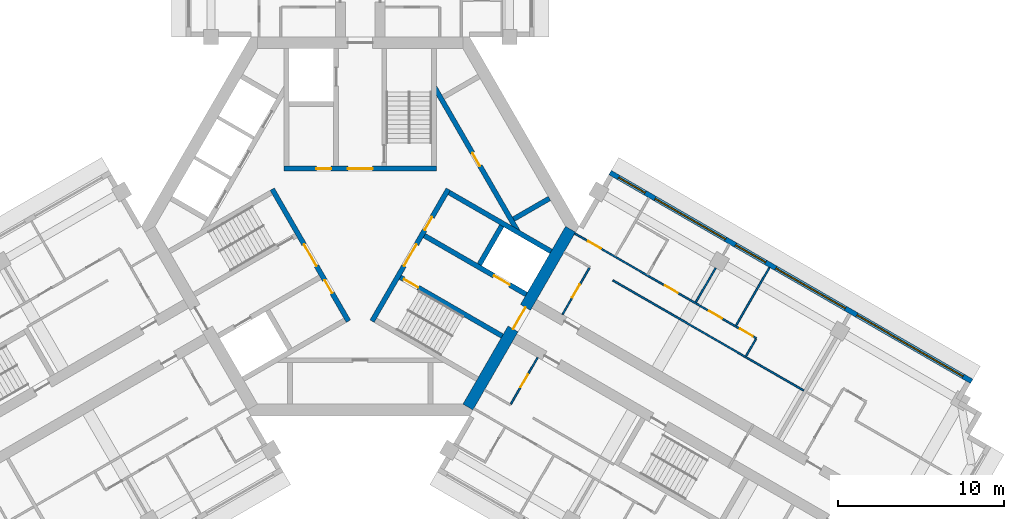
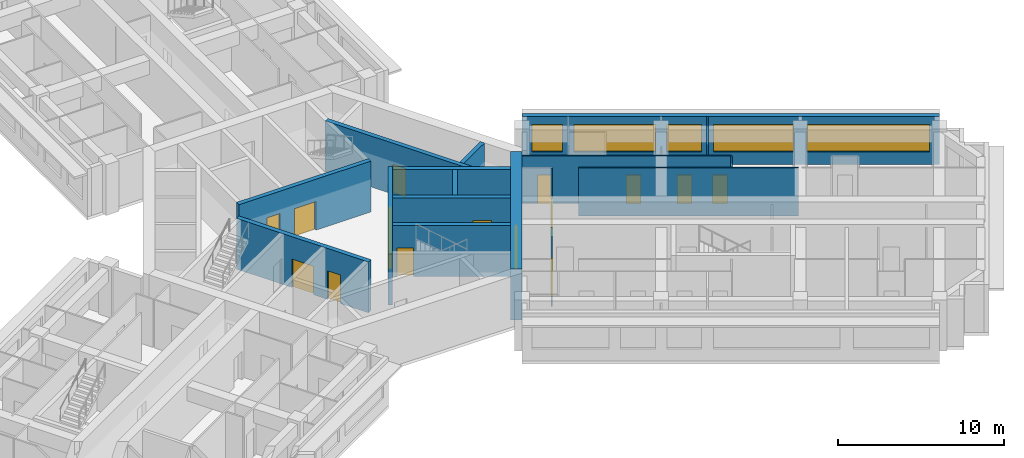
# One storey, part 6 of 11: 18 walls, 16 doors, 5 windows, 21 openings.
"""IFC4 building model written with IfcOpenShell, lengths in metres."""

from ifc_helpers import new_model, si_unit, direction, frame, frame_2d, origin, place, context, subcontext, project, spatial, rectangle, extrude, material, layer, layer_set, type_object, element, fill, save


model = new_model("IFC4")

# Units and contexts
model_context = context("Model", 3, precision=1e-05, world=origin(), true_north=direction((0.0, 1.0)))
body_context = subcontext(model_context, "Body", "Model", "MODEL_VIEW")
ifc_project = project(units=[si_unit("LENGTHUNIT", "METRE"), si_unit("AREAUNIT", "SQUARE_METRE"), si_unit("VOLUMEUNIT", "CUBIC_METRE"), si_unit("PLANEANGLEUNIT", "RADIAN"), si_unit("MASSUNIT", "GRAM", prefix="KILO")], contexts=[model_context])

# Site, building, storey
site_placement = place(None, origin())
site = spatial("IfcSite", under=ifc_project, at=site_placement, CompositionType="ELEMENT")
building_placement = place(site_placement, origin())
building = spatial("IfcBuilding", under=site, at=building_placement, Name="Impinga Residences", CompositionType="ELEMENT")
storey_placement = place(building_placement, frame((0.0, 0.0, 203.5)))
storey = spatial("IfcBuildingStorey", under=building, at=storey_placement, Name="L50", CompositionType="ELEMENT", Elevation=203.5)

# Wall, openings, windows
ifc_material_1 = material(Name="Terracotta rainscreen on blockwork", Category="masonry")
ifc_layer_1 = layer(ifc_material_1, 0.300048828125)
ifc_layer_set_1 = layer_set([ifc_layer_1], Name="EW1 external wall, terracotta rainscreen on blockwork 300")
wall_type_1 = type_object("IfcWallType", Name="EW1 external wall, terracotta rainscreen on blockwork 300", PredefinedType="SOLIDWALL", material=ifc_layer_set_1)
wall_1_placement = place(storey_placement, frame((15.074951171875, 3.24755859375, 0.0), z_axis=(0.0, 0.0, 1.0), x_axis=(0.86602925447, -0.499993330357, 0.0)))
wall_1 = element("IfcWall", 1, at=wall_1_placement, inside=storey, type_object=wall_type_1, Name="External wall EW1 L50", PredefinedType="SOLIDWALL", context=body_context, shape_type="SweptSolid", body=[
    extrude(rectangle(XDim=25.199951171875, YDim=0.300048828125, at=frame_2d((12.60009765625, 0.0))), origin(), (0.0, 0.0, 1.0), 3.530029296875),
])
opening_1_placement = place(wall_1_placement, frame((0.60009765625, 0.0, 0.89990234375)))
opening_1 = element("IfcOpeningElement", 2, at=opening_1_placement, cuts=wall_1, Name="Opening W15", PredefinedType="OPENING", context=body_context, shape_type="SweptSolid", body=[
    extrude(rectangle(XDim=1.85009765625, YDim=2.050048828125, at=frame_2d((0.925048828125, 1.02490234375))), frame((0.0, 0.159912109375, 0.0), z_axis=(0.0, -1.0, 0.0), x_axis=(1.0, 0.0, 0.0)), (0.0, 0.0, 1.0), 0.320068359375),
])
opening_2_placement = place(wall_1_placement, frame((3.14990234375, 0.0, 0.89990234375)))
opening_2 = element("IfcOpeningElement", 3, at=opening_2_placement, cuts=wall_1, Name="Opening W16", PredefinedType="OPENING", context=body_context, shape_type="SweptSolid", body=[
    extrude(rectangle(XDim=4.89990234375, YDim=2.050048828125, at=frame_2d((2.449951171875, 1.02490234375))), frame((0.0, 0.159912109375, 0.0), z_axis=(0.0, -1.0, 0.0), x_axis=(1.0, 0.0, 0.0)), (0.0, 0.0, 1.0), 0.320068359375),
])
opening_3_placement = place(wall_1_placement, frame((8.75, 0.0, 0.89990234375)))
opening_3 = element("IfcOpeningElement", 4, at=opening_3_placement, cuts=wall_1, Name="Opening W9", PredefinedType="OPENING", context=body_context, shape_type="SweptSolid", body=[
    extrude(rectangle(XDim=2.10009765625, YDim=2.050048828125, at=frame_2d((1.050048828125, 1.02490234375))), frame((0.0, 0.159912109375, 0.0), z_axis=(0.0, -1.0, 0.0), x_axis=(1.0, 0.0, 0.0)), (0.0, 0.0, 1.0), 0.320068359375),
])
opening_4_placement = place(wall_1_placement, frame((11.550048828125, 0.0, 0.89990234375)))
opening_4 = element("IfcOpeningElement", 5, at=opening_4_placement, cuts=wall_1, Name="Opening W6", PredefinedType="OPENING", context=body_context, shape_type="SweptSolid", body=[
    extrude(rectangle(XDim=4.85009765625, YDim=2.050048828125, at=frame_2d((2.425048828125, 1.02490234375))), frame((0.0, 0.159912109375, 0.0), z_axis=(0.0, -1.0, 0.0), x_axis=(1.0, 0.0, 0.0)), (0.0, 0.0, 1.0), 0.320068359375),
])
opening_5_placement = place(wall_1_placement, frame((17.199951171875, 0.0, 0.89990234375)))
opening_5 = element("IfcOpeningElement", 6, at=opening_5_placement, cuts=wall_1, Name="Opening W12", PredefinedType="OPENING", context=body_context, shape_type="SweptSolid", body=[
    extrude(rectangle(XDim=7.39990234375, YDim=2.050048828125, at=frame_2d((3.699951171875, 1.02490234375))), frame((0.0, 0.159912109375, 0.0), z_axis=(0.0, -1.0, 0.0), x_axis=(1.0, 0.0, 0.0)), (0.0, 0.0, 1.0), 0.320068359375),
])
ifc_material_2 = material(Name="Aluminium window, clear double glazing", Category="aluminium")
window_type_1 = type_object("IfcWindowType", Name="W12 ribbon window 7400x2050", PartitioningType="SINGLE_PANEL", PredefinedType="WINDOW", material=ifc_material_2)
window_1_placement = place(opening_5_placement, origin())
window_1 = element("IfcWindow", 7, at=window_1_placement, inside=storey, type_object=window_type_1, Name="Window L50", OverallHeight=2.050048828125, OverallWidth=7.39990234375, PartitioningType="SINGLE_PANEL", PredefinedType="WINDOW", context=body_context, shape_type="SweptSolid", body=[
    extrude(rectangle(XDim=7.39990234375, YDim=2.050048828125, at=frame_2d((3.699951171875, 1.02490234375))), frame((0.0, 0.030029296875, 0.0), z_axis=(0.0, -1.0, 0.0), x_axis=(1.0, 0.0, 0.0)), (0.0, 0.0, 1.0), 0.06005859375),
])
fill(opening_5, window_1)
window_type_2 = type_object("IfcWindowType", Name="W15 ribbon window 1850x2050", PartitioningType="SINGLE_PANEL", PredefinedType="WINDOW", material=ifc_material_2)
window_2_placement = place(opening_1_placement, origin())
window_2 = element("IfcWindow", 8, at=window_2_placement, inside=storey, type_object=window_type_2, Name="Window L50", OverallHeight=2.050048828125, OverallWidth=1.85009765625, PartitioningType="SINGLE_PANEL", PredefinedType="WINDOW", context=body_context, shape_type="SweptSolid", body=[
    extrude(rectangle(XDim=1.85009765625, YDim=2.050048828125, at=frame_2d((0.925048828125, 1.02490234375))), frame((0.0, 0.030029296875, 0.0), z_axis=(0.0, -1.0, 0.0), x_axis=(1.0, 0.0, 0.0)), (0.0, 0.0, 1.0), 0.06005859375),
])
fill(opening_1, window_2)
window_type_3 = type_object("IfcWindowType", Name="W16 ribbon window 4900x2050", PartitioningType="SINGLE_PANEL", PredefinedType="WINDOW", material=ifc_material_2)
window_3_placement = place(opening_2_placement, origin())
window_3 = element("IfcWindow", 9, at=window_3_placement, inside=storey, type_object=window_type_3, Name="Window L50", OverallHeight=2.050048828125, OverallWidth=4.89990234375, PartitioningType="SINGLE_PANEL", PredefinedType="WINDOW", context=body_context, shape_type="SweptSolid", body=[
    extrude(rectangle(XDim=4.89990234375, YDim=2.050048828125, at=frame_2d((2.449951171875, 1.02490234375))), frame((0.0, 0.030029296875, 0.0), z_axis=(0.0, -1.0, 0.0), x_axis=(1.0, 0.0, 0.0)), (0.0, 0.0, 1.0), 0.06005859375),
])
fill(opening_2, window_3)
window_type_4 = type_object("IfcWindowType", Name="W6 ribbon window 4850x2050", PartitioningType="SINGLE_PANEL", PredefinedType="WINDOW", material=ifc_material_2)
window_4_placement = place(opening_4_placement, origin())
window_4 = element("IfcWindow", 10, at=window_4_placement, inside=storey, type_object=window_type_4, Name="Window L50", OverallHeight=2.050048828125, OverallWidth=4.85009765625, PartitioningType="SINGLE_PANEL", PredefinedType="WINDOW", context=body_context, shape_type="SweptSolid", body=[
    extrude(rectangle(XDim=4.85009765625, YDim=2.050048828125, at=frame_2d((2.425048828125, 1.02490234375))), frame((0.0, 0.030029296875, 0.0), z_axis=(0.0, -1.0, 0.0), x_axis=(1.0, 0.0, 0.0)), (0.0, 0.0, 1.0), 0.06005859375),
])
fill(opening_4, window_4)
window_type_5 = type_object("IfcWindowType", Name="W9 ribbon window 2100x2050", PartitioningType="SINGLE_PANEL", PredefinedType="WINDOW", material=ifc_material_2)
window_5_placement = place(opening_3_placement, origin())
window_5 = element("IfcWindow", 11, at=window_5_placement, inside=storey, type_object=window_type_5, Name="Window L50", OverallHeight=2.050048828125, OverallWidth=2.10009765625, PartitioningType="SINGLE_PANEL", PredefinedType="WINDOW", context=body_context, shape_type="SweptSolid", body=[
    extrude(rectangle(XDim=2.10009765625, YDim=2.050048828125, at=frame_2d((1.050048828125, 1.02490234375))), frame((0.0, 0.030029296875, 0.0), z_axis=(0.0, -1.0, 0.0), x_axis=(1.0, 0.0, 0.0)), (0.0, 0.0, 1.0), 0.06005859375),
])
fill(opening_3, window_5)

# Wall
ifc_material_3 = material(Name="Gypsum board on steel studs", Category="steel")
ifc_layer_2 = layer(ifc_material_3, 0.10009765625)
ifc_layer_set_2 = layer_set([ifc_layer_2], Name="Gypsum board on steel studs")
wall_type_2 = type_object("IfcWallType", Name="IP1 partition 100", PredefinedType="PARTITIONING", material=ifc_layer_set_2)
wall_2_placement = place(storey_placement, frame((15.244384765625, -3.2587890625, 0.0), z_axis=(0.0, 0.0, 1.0), x_axis=(0.866023880463, -0.500002638461, 0.0)))
element("IfcWall", 12, at=wall_2_placement, inside=storey, type_object=wall_type_2, Name="Partition L50-EA1:DIV1", PredefinedType="PARTITIONING", context=body_context, shape_type="SweptSolid", body=[
    extrude(rectangle(XDim=13.30029296875, YDim=0.10009765625, at=frame_2d((6.650146484375, 0.0))), origin(), (0.0, 0.0, 1.0), 3.530029296875),
])

# Wall, openings, doors
wall_3_placement = place(storey_placement, frame((12.949951171875, -0.43310546875, 0.0), z_axis=(0.0, 0.0, 1.0), x_axis=(0.866029069366, -0.499993650972, 0.0)))
wall_3 = element("IfcWall", 13, at=wall_3_placement, inside=storey, type_object=wall_type_2, Name="Partition L50-EA1:STRIP", PredefinedType="PARTITIONING", context=body_context, shape_type="SweptSolid", body=[
    extrude(rectangle(XDim=12.650146484375, YDim=0.10009765625, at=frame_2d((6.3251953125, 0.0))), origin(), (0.0, 0.0, 1.0), 3.530029296875),
])
opening_6_placement = place(wall_3_placement, frame((0.925048828125, 0.0, 0.0)))
opening_6 = element("IfcOpeningElement", 14, at=opening_6_placement, cuts=wall_3, Name="Opening D2", PredefinedType="OPENING", context=body_context, shape_type="SweptSolid", body=[
    extrude(rectangle(XDim=0.89990234375, YDim=2.10009765625, at=frame_2d((0.449951171875, 1.050048828125))), frame((0.0, 0.06005859375, 0.0), z_axis=(0.0, -1.0, 0.0), x_axis=(1.0, 0.0, 0.0)), (0.0, 0.0, 1.0), 0.1201171875),
])
opening_7_placement = place(wall_3_placement, frame((6.27490234375, 0.0, 0.0)))
opening_7 = element("IfcOpeningElement", 15, at=opening_7_placement, cuts=wall_3, Name="Opening D2", PredefinedType="OPENING", context=body_context, shape_type="SweptSolid", body=[
    extrude(rectangle(XDim=0.89990234375, YDim=2.10009765625, at=frame_2d((0.449951171875, 1.050048828125))), frame((0.0, 0.06005859375, 0.0), z_axis=(0.0, -1.0, 0.0), x_axis=(1.0, 0.0, 0.0)), (0.0, 0.0, 1.0), 0.1201171875),
])
opening_8_placement = place(wall_3_placement, frame((9.35009765625, 0.0, 0.0)))
opening_8 = element("IfcOpeningElement", 16, at=opening_8_placement, cuts=wall_3, Name="Opening D2", PredefinedType="OPENING", context=body_context, shape_type="SweptSolid", body=[
    extrude(rectangle(XDim=0.89990234375, YDim=2.10009765625, at=frame_2d((0.449951171875, 1.050048828125))), frame((0.0, 0.06005859375, 0.0), z_axis=(0.0, -1.0, 0.0), x_axis=(1.0, 0.0, 0.0)), (0.0, 0.0, 1.0), 0.1201171875),
])
opening_9_placement = place(wall_3_placement, frame((11.5, 0.0, 0.0)))
opening_9 = element("IfcOpeningElement", 17, at=opening_9_placement, cuts=wall_3, Name="Opening D2", PredefinedType="OPENING", context=body_context, shape_type="SweptSolid", body=[
    extrude(rectangle(XDim=0.89990234375, YDim=2.10009765625, at=frame_2d((0.449951171875, 1.050048828125))), frame((0.0, 0.06005859375, 0.0), z_axis=(0.0, -1.0, 0.0), x_axis=(1.0, 0.0, 0.0)), (0.0, 0.0, 1.0), 0.1201171875),
])
ifc_material_4 = material(Name="Timber door set", Category="wood")
door_type_1 = type_object("IfcDoorType", Name="D2 internal door 900x2100", OperationType="SINGLE_SWING_LEFT", PredefinedType="DOOR", material=ifc_material_4)
door_1_placement = place(opening_6_placement, origin())
door_1 = element("IfcDoor", 18, at=door_1_placement, inside=storey, type_object=door_type_1, Name="Apartment L50-EA1 room door", OperationType="SINGLE_SWING_LEFT", OverallHeight=2.10009765625, OverallWidth=0.89990234375, PredefinedType="DOOR", context=body_context, shape_type="SweptSolid", body=[
    extrude(rectangle(XDim=0.89990234375, YDim=2.10009765625, at=frame_2d((0.449951171875, 1.050048828125))), frame((0.0, 0.02490234375, 0.0), z_axis=(0.0, -1.0, 0.0), x_axis=(1.0, 0.0, 0.0)), (0.0, 0.0, 1.0), 0.050048828125),
])
fill(opening_6, door_1)
door_2_placement = place(opening_7_placement, origin())
door_2 = element("IfcDoor", 19, at=door_2_placement, inside=storey, type_object=door_type_1, Name="Apartment L50-EA1 room door", OperationType="SINGLE_SWING_RIGHT", OverallHeight=2.10009765625, OverallWidth=0.89990234375, PredefinedType="DOOR", context=body_context, shape_type="SweptSolid", body=[
    extrude(rectangle(XDim=0.89990234375, YDim=2.10009765625, at=frame_2d((0.449951171875, 1.050048828125))), frame((0.0, 0.02490234375, 0.0), z_axis=(0.0, -1.0, 0.0), x_axis=(1.0, 0.0, 0.0)), (0.0, 0.0, 1.0), 0.050048828125),
])
fill(opening_7, door_2)
door_3_placement = place(opening_8_placement, origin())
door_3 = element("IfcDoor", 20, at=door_3_placement, inside=storey, type_object=door_type_1, Name="Apartment L50-EA1 room door", OperationType="SINGLE_SWING_RIGHT", OverallHeight=2.10009765625, OverallWidth=0.89990234375, PredefinedType="DOOR", context=body_context, shape_type="SweptSolid", body=[
    extrude(rectangle(XDim=0.89990234375, YDim=2.10009765625, at=frame_2d((0.449951171875, 1.050048828125))), frame((0.0, 0.02490234375, 0.0), z_axis=(0.0, -1.0, 0.0), x_axis=(1.0, 0.0, 0.0)), (0.0, 0.0, 1.0), 0.050048828125),
])
fill(opening_8, door_3)
door_4_placement = place(opening_9_placement, origin())
door_4 = element("IfcDoor", 21, at=door_4_placement, inside=storey, type_object=door_type_1, Name="Apartment L50-EA1 room door", OperationType="SINGLE_SWING_RIGHT", OverallHeight=2.10009765625, OverallWidth=0.89990234375, PredefinedType="DOOR", context=body_context, shape_type="SweptSolid", body=[
    extrude(rectangle(XDim=0.89990234375, YDim=2.10009765625, at=frame_2d((0.449951171875, 1.050048828125))), frame((0.0, 0.02490234375, 0.0), z_axis=(0.0, -1.0, 0.0), x_axis=(1.0, 0.0, 0.0)), (0.0, 0.0, 1.0), 0.050048828125),
])
fill(opening_9, door_4)

# Wall
wall_4_placement = place(storey_placement, frame((23.2802734375, -7.840576171875, 0.0), z_axis=(0.0, 0.0, 1.0), x_axis=(0.499880961361, 0.866094119867, 0.0)))
element("IfcWall", 22, at=wall_4_placement, inside=storey, type_object=wall_type_2, Name="Partition L50-EA1:SE1", PredefinedType="PARTITIONING", context=body_context, shape_type="SweptSolid", body=[
    extrude(rectangle(XDim=1.199951171875, YDim=0.10009765625, at=frame_2d((0.60009765625, 0.0))), origin(), (0.0, 0.0, 1.0), 3.530029296875),
])

# Wall, opening, door
wall_5_placement = place(storey_placement, frame((12.208740234375, -5.316650390625, 0.0), z_axis=(0.0, 0.0, 1.0), x_axis=(0.500017246033, 0.866015446554, 0.0)))
wall_5 = element("IfcWall", 23, at=wall_5_placement, inside=storey, type_object=wall_type_2, Name="Partition L50-EA1:IB1", PredefinedType="PARTITIONING", context=body_context, shape_type="SweptSolid", body=[
    extrude(rectangle(XDim=3.25, YDim=0.10009765625, at=frame_2d((1.625, 0.0))), origin(), (0.0, 0.0, 1.0), 3.530029296875),
])
opening_10_placement = place(wall_5_placement, frame((1.175048828125, 0.0, 0.0)))
opening_10 = element("IfcOpeningElement", 24, at=opening_10_placement, cuts=wall_5, Name="Opening D2", PredefinedType="OPENING", context=body_context, shape_type="SweptSolid", body=[
    extrude(rectangle(XDim=0.89990234375, YDim=2.10009765625, at=frame_2d((0.449951171875, 1.050048828125))), frame((0.0, 0.06005859375, 0.0), z_axis=(0.0, -1.0, 0.0), x_axis=(1.0, 0.0, 0.0)), (0.0, 0.0, 1.0), 0.1201171875),
])
door_5_placement = place(opening_10_placement, origin())
door_5 = element("IfcDoor", 25, at=door_5_placement, inside=storey, type_object=door_type_1, Name="Apartment L50-EA1 bathroom door", OperationType="SINGLE_SWING_LEFT", OverallHeight=2.10009765625, OverallWidth=0.89990234375, PredefinedType="DOOR", context=body_context, shape_type="SweptSolid", body=[
    extrude(rectangle(XDim=0.89990234375, YDim=2.10009765625, at=frame_2d((0.449951171875, 1.050048828125))), frame((0.0, 0.02490234375, 0.0), z_axis=(0.0, -1.0, 0.0), x_axis=(1.0, 0.0, 0.0)), (0.0, 0.0, 1.0), 0.050048828125),
])
fill(opening_10, door_5)

# Walls
wall_6_placement = place(storey_placement, frame((20.24951171875, -4.589599609375, 0.0), z_axis=(0.0, 0.0, 1.0), x_axis=(0.500077600433, 0.865980596518, 0.0)))
element("IfcWall", 26, at=wall_6_placement, inside=storey, type_object=wall_type_2, Name="Partition L50-EA1:OB2", PredefinedType="PARTITIONING", context=body_context, shape_type="SweptSolid", body=[
    extrude(rectangle(XDim=2.39990234375, YDim=0.10009765625, at=frame_2d((1.199951171875, 0.0))), origin(), (0.0, 0.0, 1.0), 2.47998046875),
])
wall_7_placement = place(storey_placement, frame((22.674560546875, -5.98974609375, 0.0), z_axis=(0.0, 0.0, 1.0), x_axis=(0.499990325971, 0.866030989016, 0.0)))
element("IfcWall", 27, at=wall_7_placement, inside=storey, type_object=wall_type_2, Name="Partition L50-EA1:OB3", PredefinedType="PARTITIONING", context=body_context, shape_type="SweptSolid", body=[
    extrude(rectangle(XDim=4.0498046875, YDim=0.10009765625, at=frame_2d((2.02490234375, 0.0))), origin(), (0.0, 0.0, 1.0), 3.530029296875),
])

# Wall, opening, door
wall_8_placement = place(storey_placement, frame((10.708740234375, -7.914794921875, 0.0), z_axis=(0.0, 0.0, 1.0), x_axis=(-0.499984717929, -0.866034226713, 0.0)))
wall_8 = element("IfcWall", 28, at=wall_8_placement, inside=storey, type_object=wall_type_2, Name="Partition L50-EF1:IB1", PredefinedType="PARTITIONING", context=body_context, shape_type="SweptSolid", body=[
    extrude(rectangle(XDim=3.25, YDim=0.10009765625, at=frame_2d((1.625, 0.0))), origin(), (0.0, 0.0, 1.0), 3.530029296875),
])
opening_11_placement = place(wall_8_placement, frame((1.175048828125, 0.0, 0.0)))
opening_11 = element("IfcOpeningElement", 29, at=opening_11_placement, cuts=wall_8, Name="Opening D2", PredefinedType="OPENING", context=body_context, shape_type="SweptSolid", body=[
    extrude(rectangle(XDim=0.89990234375, YDim=2.10009765625, at=frame_2d((0.449951171875, 1.050048828125))), frame((0.0, 0.06005859375, 0.0), z_axis=(0.0, -1.0, 0.0), x_axis=(1.0, 0.0, 0.0)), (0.0, 0.0, 1.0), 0.1201171875),
])
door_6_placement = place(opening_11_placement, origin())
door_6 = element("IfcDoor", 30, at=door_6_placement, inside=storey, type_object=door_type_1, Name="Apartment L50-EF1 bathroom door", OperationType="SINGLE_SWING_LEFT", OverallHeight=2.10009765625, OverallWidth=0.89990234375, PredefinedType="DOOR", context=body_context, shape_type="SweptSolid", body=[
    extrude(rectangle(XDim=0.89990234375, YDim=2.10009765625, at=frame_2d((0.449951171875, 1.050048828125))), frame((0.0, 0.02490234375, 0.0), z_axis=(0.0, -1.0, 0.0), x_axis=(1.0, 0.0, 0.0)), (0.0, 0.0, 1.0), 0.050048828125),
])
fill(opening_11, door_6)

ifc_material_5 = material(Name="Concrete C60/75", Category="concrete")
ifc_layer_3 = layer(ifc_material_5, 0.699951171875)
ifc_layer_set_3 = layer_set([ifc_layer_3], Name="Concrete C60/75")
wall_type_3 = type_object("IfcWallType", Name="SW3 core wall 700", PredefinedType="SHEAR", material=ifc_layer_set_3)
wall_9_placement = place(storey_placement, frame((12.69482421875, -0.175048828125, 0.0), z_axis=(0.0, 0.0, 1.0), x_axis=(-0.499999875397, -0.866025475724, 0.0)))
wall_9 = element("IfcWall", 31, at=wall_9_placement, inside=storey, type_object=wall_type_3, Name="Core wall SW3 E:FACE L50", PredefinedType="SHEAR", context=body_context, shape_type="SweptSolid", body=[
    extrude(rectangle(XDim=12.3916015625, YDim=0.699951171875, at=frame_2d((6.19580078125, 0.0))), origin(), (0.0, 0.0, 1.0), 3.75),
])
opening_12_placement = place(wall_9_placement, frame((5.44580078125, 0.0, 0.0)))
opening_12 = element("IfcOpeningElement", 32, at=opening_12_placement, cuts=wall_9, Name="Opening D4", PredefinedType="OPENING", context=body_context, shape_type="SweptSolid", body=[
    extrude(rectangle(XDim=1.5, YDim=2.10009765625, at=frame_2d((0.75, 1.050048828125))), frame((0.0, 0.35986328125, 0.0), z_axis=(0.0, -1.0, 0.0), x_axis=(1.0, 0.0, 0.0)), (0.0, 0.0, 1.0), 0.719970703125),
])
door_type_2 = type_object("IfcDoorType", Name="D4 lobby door pair 1500x2100", OperationType="DOUBLE_DOOR_DOUBLE_SWING", PredefinedType="DOOR", material=ifc_material_4)
door_7_placement = place(opening_12_placement, origin())
door_7 = element("IfcDoor", 33, at=door_7_placement, inside=storey, type_object=door_type_2, Name="Lobby door E", OperationType="DOUBLE_DOOR_DOUBLE_SWING", OverallHeight=2.10009765625, OverallWidth=1.5, PredefinedType="DOOR", context=body_context, shape_type="SweptSolid", body=[
    extrude(rectangle(XDim=1.5, YDim=2.10009765625, at=frame_2d((0.75, 1.050048828125))), frame((0.0, 0.02490234375, 0.0), z_axis=(0.0, -1.0, 0.0), x_axis=(1.0, 0.0, 0.0)), (0.0, 0.0, 1.0), 0.050048828125),
])
fill(opening_12, door_7)

# Wall, openings, doors
ifc_material_6 = material(Name="Concrete C70/85", Category="concrete")
ifc_layer_4 = layer(ifc_material_6, 0.300048828125)
ifc_layer_set_4 = layer_set([ifc_layer_4], Name="Concrete C70/85")
wall_type_4 = type_object("IfcWallType", Name="SW5 core inner wall, stairs, shafts and lobbies 300", PredefinedType="SHEAR", material=ifc_layer_set_4)
wall_10_placement = place(storey_placement, frame((-4.60009765625, 3.47998046875, 0.0), z_axis=(0.0, 0.0, 1.0), x_axis=(1.0, 0.0, 0.0)))
wall_10 = element("IfcWall", 34, at=wall_10_placement, inside=storey, type_object=wall_type_4, Name="Core wall SW5 N:ZONE L50", PredefinedType="SHEAR", context=body_context, shape_type="SweptSolid", body=[
    extrude(rectangle(XDim=9.2001953125, YDim=0.300048828125, at=frame_2d((4.60009765625, 0.0))), origin(), (0.0, 0.0, 1.0), 3.75),
])
opening_13_placement = place(wall_10_placement, frame((3.85009765625, 0.0, 0.0)))
opening_13 = element("IfcOpeningElement", 35, at=opening_13_placement, cuts=wall_10, Name="Opening D4", PredefinedType="OPENING", context=body_context, shape_type="SweptSolid", body=[
    extrude(rectangle(XDim=1.5, YDim=2.10009765625, at=frame_2d((0.75, 1.050048828125))), frame((0.0, 0.159912109375, 0.0), z_axis=(0.0, -1.0, 0.0), x_axis=(1.0, 0.0, 0.0)), (0.0, 0.0, 1.0), 0.320068359375),
])
opening_14_placement = place(wall_10_placement, frame((1.949951171875, 0.0, 0.0)))
opening_14 = element("IfcOpeningElement", 36, at=opening_14_placement, cuts=wall_10, Name="Opening D6", PredefinedType="OPENING", context=body_context, shape_type="SweptSolid", body=[
    extrude(rectangle(XDim=0.89990234375, YDim=2.10009765625, at=frame_2d((0.449951171875, 1.050048828125))), frame((0.0, 0.159912109375, 0.0), z_axis=(0.0, -1.0, 0.0), x_axis=(1.0, 0.0, 0.0)), (0.0, 0.0, 1.0), 0.320068359375),
])
door_8_placement = place(opening_13_placement, origin())
door_8 = element("IfcDoor", 37, at=door_8_placement, inside=storey, type_object=door_type_2, Name="Firefighting lobby door N", OperationType="DOUBLE_DOOR_DOUBLE_SWING", OverallHeight=2.10009765625, OverallWidth=1.5, PredefinedType="DOOR", context=body_context, shape_type="SweptSolid", body=[
    extrude(rectangle(XDim=1.5, YDim=2.10009765625, at=frame_2d((0.75, 1.050048828125))), frame((0.0, 0.02490234375, 0.0), z_axis=(0.0, -1.0, 0.0), x_axis=(1.0, 0.0, 0.0)), (0.0, 0.0, 1.0), 0.050048828125),
])
fill(opening_13, door_8)
door_type_3 = type_object("IfcDoorType", Name="D6 riser and store door 900x2100", OperationType="SINGLE_SWING_LEFT", PredefinedType="DOOR", material=ifc_material_4)
door_9_placement = place(opening_14_placement, origin())
door_9 = element("IfcDoor", 38, at=door_9_placement, inside=storey, type_object=door_type_3, Name="Riser door N", OperationType="SINGLE_SWING_LEFT", OverallHeight=2.10009765625, OverallWidth=0.89990234375, PredefinedType="DOOR", context=body_context, shape_type="SweptSolid", body=[
    extrude(rectangle(XDim=0.89990234375, YDim=2.10009765625, at=frame_2d((0.449951171875, 1.050048828125))), frame((0.0, 0.02490234375, 0.0), z_axis=(0.0, -1.0, 0.0), x_axis=(1.0, 0.0, 0.0)), (0.0, 0.0, 1.0), 0.050048828125),
])
fill(opening_14, door_9)

wall_11_placement = place(storey_placement, frame((-0.7138671875, -5.7236328125, 0.0), z_axis=(0.0, 0.0, 1.0), x_axis=(-0.499995050369, 0.866028261437, 0.0)))
wall_11 = element("IfcWall", 39, at=wall_11_placement, inside=storey, type_object=wall_type_4, Name="Core wall SW5 W:ZONE L50", PredefinedType="SHEAR", context=body_context, shape_type="SweptSolid", body=[
    extrude(rectangle(XDim=9.19970703125, YDim=0.300048828125, at=frame_2d((4.599853515625, 0.0))), origin(), (0.0, 0.0, 1.0), 3.75),
])
opening_15_placement = place(wall_11_placement, frame((3.85009765625, 0.0, 0.0)))
opening_15 = element("IfcOpeningElement", 40, at=opening_15_placement, cuts=wall_11, Name="Opening D4", PredefinedType="OPENING", context=body_context, shape_type="SweptSolid", body=[
    extrude(rectangle(XDim=1.5, YDim=2.10009765625, at=frame_2d((0.75, 1.050048828125))), frame((0.0, 0.159912109375, 0.0), z_axis=(0.0, -1.0, 0.0), x_axis=(1.0, 0.0, 0.0)), (0.0, 0.0, 1.0), 0.320068359375),
])
opening_16_placement = place(wall_11_placement, frame((1.949951171875, 0.0, 0.0)))
opening_16 = element("IfcOpeningElement", 41, at=opening_16_placement, cuts=wall_11, Name="Opening D6", PredefinedType="OPENING", context=body_context, shape_type="SweptSolid", body=[
    extrude(rectangle(XDim=0.89990234375, YDim=2.10009765625, at=frame_2d((0.449951171875, 1.050048828125))), frame((0.0, 0.159912109375, 0.0), z_axis=(0.0, -1.0, 0.0), x_axis=(1.0, 0.0, 0.0)), (0.0, 0.0, 1.0), 0.320068359375),
])
door_10_placement = place(opening_15_placement, origin())
door_10 = element("IfcDoor", 42, at=door_10_placement, inside=storey, type_object=door_type_2, Name="Firefighting lobby door W", OperationType="DOUBLE_DOOR_DOUBLE_SWING", OverallHeight=2.10009765625, OverallWidth=1.5, PredefinedType="DOOR", context=body_context, shape_type="SweptSolid", body=[
    extrude(rectangle(XDim=1.5, YDim=2.10009765625, at=frame_2d((0.75, 1.050048828125))), frame((0.0, 0.02490234375, 0.0), z_axis=(0.0, -1.0, 0.0), x_axis=(1.0, 0.0, 0.0)), (0.0, 0.0, 1.0), 0.050048828125),
])
fill(opening_15, door_10)
door_11_placement = place(opening_16_placement, origin())
door_11 = element("IfcDoor", 43, at=door_11_placement, inside=storey, type_object=door_type_3, Name="Riser door W", OperationType="SINGLE_SWING_LEFT", OverallHeight=2.10009765625, OverallWidth=0.89990234375, PredefinedType="DOOR", context=body_context, shape_type="SweptSolid", body=[
    extrude(rectangle(XDim=0.89990234375, YDim=2.10009765625, at=frame_2d((0.449951171875, 1.050048828125))), frame((0.0, 0.02490234375, 0.0), z_axis=(0.0, -1.0, 0.0), x_axis=(1.0, 0.0, 0.0)), (0.0, 0.0, 1.0), 0.050048828125),
])
fill(opening_16, door_11)

wall_12_placement = place(storey_placement, frame((5.313720703125, 2.24365234375, 0.0), z_axis=(0.0, 0.0, 1.0), x_axis=(-0.499995050369, -0.866028261437, 0.0)))
wall_12 = element("IfcWall", 44, at=wall_12_placement, inside=storey, type_object=wall_type_4, Name="Core wall SW5 E:ZONE L50", PredefinedType="SHEAR", context=body_context, shape_type="SweptSolid", body=[
    extrude(rectangle(XDim=9.19970703125, YDim=0.300048828125, at=frame_2d((4.599853515625, 0.0))), origin(), (0.0, 0.0, 1.0), 3.75),
])
opening_17_placement = place(wall_12_placement, frame((3.85009765625, 0.0, 0.0)))
opening_17 = element("IfcOpeningElement", 45, at=opening_17_placement, cuts=wall_12, Name="Opening D4", PredefinedType="OPENING", context=body_context, shape_type="SweptSolid", body=[
    extrude(rectangle(XDim=1.5, YDim=2.10009765625, at=frame_2d((0.75, 1.050048828125))), frame((0.0, 0.159912109375, 0.0), z_axis=(0.0, -1.0, 0.0), x_axis=(1.0, 0.0, 0.0)), (0.0, 0.0, 1.0), 0.320068359375),
])
opening_18_placement = place(wall_12_placement, frame((1.949951171875, 0.0, 0.0)))
opening_18 = element("IfcOpeningElement", 46, at=opening_18_placement, cuts=wall_12, Name="Opening D6", PredefinedType="OPENING", context=body_context, shape_type="SweptSolid", body=[
    extrude(rectangle(XDim=0.89990234375, YDim=2.10009765625, at=frame_2d((0.449951171875, 1.050048828125))), frame((0.0, 0.159912109375, 0.0), z_axis=(0.0, -1.0, 0.0), x_axis=(1.0, 0.0, 0.0)), (0.0, 0.0, 1.0), 0.320068359375),
])
door_12_placement = place(opening_17_placement, origin())
door_12 = element("IfcDoor", 47, at=door_12_placement, inside=storey, type_object=door_type_2, Name="Firefighting lobby door E", OperationType="DOUBLE_DOOR_DOUBLE_SWING", OverallHeight=2.10009765625, OverallWidth=1.5, PredefinedType="DOOR", context=body_context, shape_type="SweptSolid", body=[
    extrude(rectangle(XDim=1.5, YDim=2.10009765625, at=frame_2d((0.75, 1.050048828125))), frame((0.0, 0.02490234375, 0.0), z_axis=(0.0, -1.0, 0.0), x_axis=(1.0, 0.0, 0.0)), (0.0, 0.0, 1.0), 0.050048828125),
])
fill(opening_17, door_12)
door_13_placement = place(opening_18_placement, origin())
door_13 = element("IfcDoor", 48, at=door_13_placement, inside=storey, type_object=door_type_3, Name="Riser door E", OperationType="SINGLE_SWING_LEFT", OverallHeight=2.10009765625, OverallWidth=0.89990234375, PredefinedType="DOOR", context=body_context, shape_type="SweptSolid", body=[
    extrude(rectangle(XDim=0.89990234375, YDim=2.10009765625, at=frame_2d((0.449951171875, 1.050048828125))), frame((0.0, 0.02490234375, 0.0), z_axis=(0.0, -1.0, 0.0), x_axis=(1.0, 0.0, 0.0)), (0.0, 0.0, 1.0), 0.050048828125),
])
fill(opening_18, door_13)

# Wall, opening, door
wall_13_placement = place(storey_placement, frame((2.418701171875, -3.07080078125, 0.0), z_axis=(0.0, 0.0, 1.0), x_axis=(0.866025859768, -0.499999210213, 0.0)))
wall_13 = element("IfcWall", 49, at=wall_13_placement, inside=storey, type_object=wall_type_4, Name="Core wall SW5 E:ST-IN L50", PredefinedType="SHEAR", context=body_context, shape_type="SweptSolid", body=[
    extrude(rectangle(XDim=7.1015625, YDim=0.300048828125, at=frame_2d((3.55078125, 0.0))), origin(), (0.0, 0.0, 1.0), 3.75),
])
opening_19_placement = place(wall_13_placement, frame((0.25, 0.0, 0.0)))
opening_19 = element("IfcOpeningElement", 50, at=opening_19_placement, cuts=wall_13, Name="Opening D5", PredefinedType="OPENING", context=body_context, shape_type="SweptSolid", body=[
    extrude(rectangle(XDim=1.0, YDim=2.10009765625, at=frame_2d((0.5, 1.050048828125))), frame((0.0, 0.159912109375, 0.0), z_axis=(0.0, -1.0, 0.0), x_axis=(1.0, 0.0, 0.0)), (0.0, 0.0, 1.0), 0.320068359375),
])
door_type_4 = type_object("IfcDoorType", Name="D5 stair door 1000x2100", OperationType="SINGLE_SWING_LEFT", PredefinedType="DOOR", material=ifc_material_4)
door_14_placement = place(opening_19_placement, origin())
door_14 = element("IfcDoor", 51, at=door_14_placement, inside=storey, type_object=door_type_4, Name="Stair door E", OperationType="SINGLE_SWING_LEFT", OverallHeight=2.10009765625, OverallWidth=1.0, PredefinedType="DOOR", context=body_context, shape_type="SweptSolid", body=[
    extrude(rectangle(XDim=1.0, YDim=2.10009765625, at=frame_2d((0.5, 1.050048828125))), frame((0.0, 0.02490234375, 0.0), z_axis=(0.0, -1.0, 0.0), x_axis=(1.0, 0.0, 0.0)), (0.0, 0.0, 1.0), 0.050048828125),
])
fill(opening_19, door_14)

wall_14_placement = place(storey_placement, frame((3.86865234375, -0.559326171875, 0.0), z_axis=(0.0, 0.0, 1.0), x_axis=(0.866025859768, -0.499999210213, 0.0)))
wall_14 = element("IfcWall", 52, at=wall_14_placement, inside=storey, type_object=wall_type_4, Name="Core wall SW5 E:FF-IN L50", PredefinedType="SHEAR", context=body_context, shape_type="SweptSolid", body=[
    extrude(rectangle(XDim=7.1015625, YDim=0.300048828125, at=frame_2d((3.55078125, 0.0))), origin(), (0.0, 0.0, 1.0), 3.75),
])
opening_20_placement = place(wall_14_placement, frame((4.85009765625, 0.0, 0.0)))
opening_20 = element("IfcOpeningElement", 53, at=opening_20_placement, cuts=wall_14, Name="Opening LD2", PredefinedType="OPENING", context=body_context, shape_type="SweptSolid", body=[
    extrude(rectangle(XDim=1.10009765625, YDim=2.10009765625, at=frame_2d((0.550048828125, 1.050048828125))), frame((0.0, 0.159912109375, 0.0), z_axis=(0.0, -1.0, 0.0), x_axis=(1.0, 0.0, 0.0)), (0.0, 0.0, 1.0), 0.320068359375),
])
ifc_material_7 = material(Name="Steel lift landing door", Category="steel")
door_type_5 = type_object("IfcDoorType", Name="LD2 firefighting lift landing door 1100x2100", OperationType="DOUBLE_DOOR_SLIDING", PredefinedType="DOOR", material=ifc_material_7)
door_15_placement = place(opening_20_placement, origin())
door_15 = element("IfcDoor", 54, at=door_15_placement, inside=storey, type_object=door_type_5, Name="Firefighting lift landing door F3", OperationType="DOUBLE_DOOR_SLIDING", OverallHeight=2.10009765625, OverallWidth=1.10009765625, PredefinedType="DOOR", context=body_context, shape_type="SweptSolid", body=[
    extrude(rectangle(XDim=1.10009765625, YDim=2.10009765625, at=frame_2d((0.550048828125, 1.050048828125))), frame((0.0, 0.02490234375, 0.0), z_axis=(0.0, -1.0, 0.0), x_axis=(1.0, 0.0, 0.0)), (0.0, 0.0, 1.0), 0.050048828125),
])
fill(opening_20, door_15)

# Walls
wall_15_placement = place(storey_placement, frame((5.36865234375, 2.038818359375, 0.0), z_axis=(0.0, 0.0, 1.0), x_axis=(0.866025859768, -0.499999210213, 0.0)))
element("IfcWall", 55, at=wall_15_placement, inside=storey, type_object=wall_type_4, Name="Core wall SW5 E:FF-OUT L50", PredefinedType="SHEAR", context=body_context, shape_type="SweptSolid", body=[
    extrude(rectangle(XDim=7.1015625, YDim=0.300048828125, at=frame_2d((3.55078125, 0.0))), origin(), (0.0, 0.0, 1.0), 3.75),
])
wall_16_placement = place(storey_placement, frame((8.541259765625, 0.033935546875, 0.0), z_axis=(0.0, 0.0, 1.0), x_axis=(-0.50000943426, -0.866019956843, 0.0)))
element("IfcWall", 56, at=wall_16_placement, inside=storey, type_object=wall_type_4, Name="Core wall SW5 E:FF-RS L50", PredefinedType="SHEAR", context=body_context, shape_type="SweptSolid", body=[
    extrude(rectangle(XDim=2.7001953125, YDim=0.300048828125, at=frame_2d((1.35009765625, 0.0))), origin(), (0.0, 0.0, 1.0), 3.75),
])

# Wall, opening, door
wall_17_placement = place(storey_placement, frame((4.449951171875, 8.455322265625, 0.0), z_axis=(0.0, 0.0, 1.0), x_axis=(0.500002290144, -0.866024081565, 0.0)))
wall_17 = element("IfcWall", 57, at=wall_17_placement, inside=storey, type_object=wall_type_4, Name="Core wall SW5 W:BANK-FRONT L50", PredefinedType="SHEAR", context=body_context, shape_type="SweptSolid", body=[
    extrude(rectangle(XDim=10.1953125, YDim=0.300048828125, at=frame_2d((5.09765625, 0.0))), origin(), (0.0, 0.0, 1.0), 3.75),
])
opening_21_placement = place(wall_17_placement, frame((4.647705078125, 0.0, 0.0)))
opening_21 = element("IfcOpeningElement", 58, at=opening_21_placement, cuts=wall_17, Name="Opening D6", PredefinedType="OPENING", context=body_context, shape_type="SweptSolid", body=[
    extrude(rectangle(XDim=0.89990234375, YDim=2.10009765625, at=frame_2d((0.449951171875, 1.050048828125))), frame((0.0, 0.159912109375, 0.0), z_axis=(0.0, -1.0, 0.0), x_axis=(1.0, 0.0, 0.0)), (0.0, 0.0, 1.0), 0.320068359375),
])
door_16_placement = place(opening_21_placement, origin())
door_16 = element("IfcDoor", 59, at=door_16_placement, inside=storey, type_object=door_type_3, Name="Residents' parcel room door", OperationType="SINGLE_SWING_RIGHT", OverallHeight=2.10009765625, OverallWidth=0.89990234375, PredefinedType="DOOR", context=body_context, shape_type="SweptSolid", body=[
    extrude(rectangle(XDim=0.89990234375, YDim=2.10009765625, at=frame_2d((0.449951171875, 1.050048828125))), frame((0.0, 0.02490234375, 0.0), z_axis=(0.0, -1.0, 0.0), x_axis=(1.0, 0.0, 0.0)), (0.0, 0.0, 1.0), 0.050048828125),
])
fill(opening_21, door_16)

# Wall
wall_18_placement = place(storey_placement, frame((9.253662109375, 0.43505859375, 0.0), z_axis=(0.0, 0.0, 1.0), x_axis=(0.866022959057, 0.500004234368, 0.0)))
element("IfcWall", 60, at=wall_18_placement, inside=storey, type_object=wall_type_4, Name="Core wall SW5 W:BANK-R L50", PredefinedType="SHEAR", context=body_context, shape_type="SweptSolid", body=[
    extrude(rectangle(XDim=2.5, YDim=0.300048828125, at=frame_2d((1.25, 0.0))), origin(), (0.0, 0.0, 1.0), 3.75),
])

save(model, "model.ifc")
